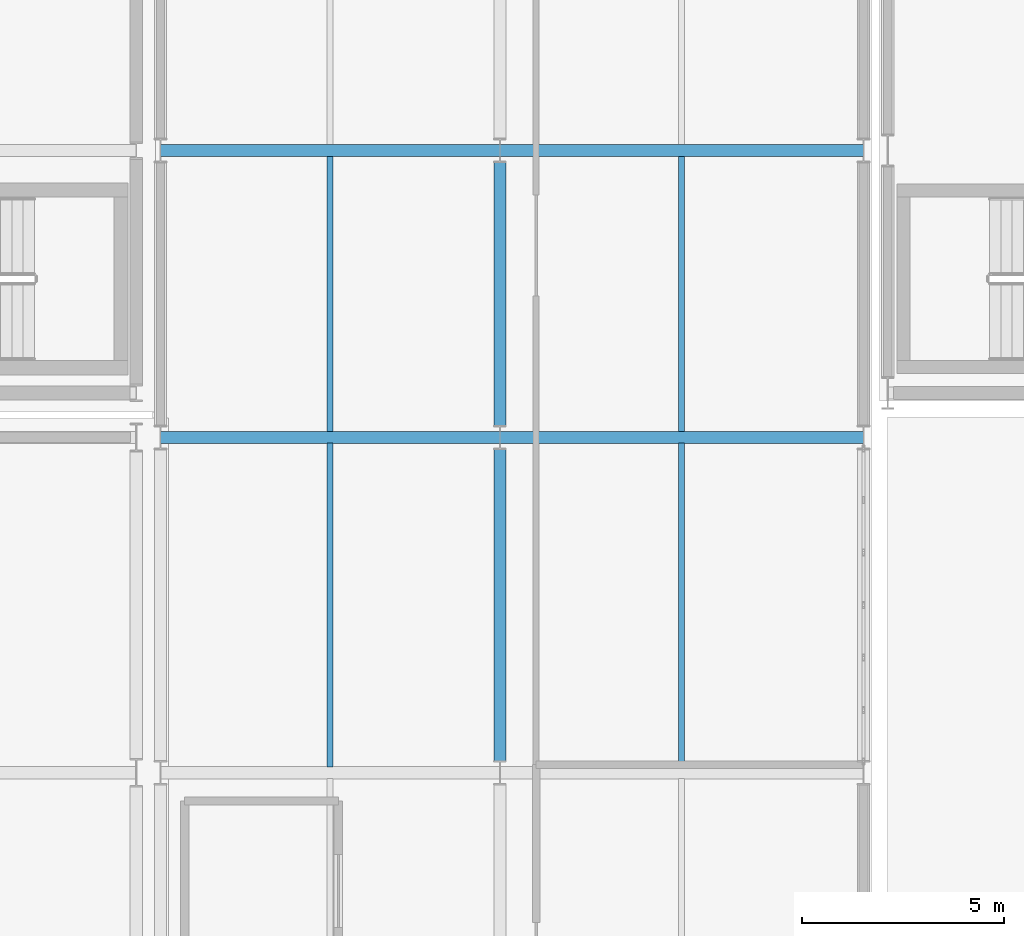
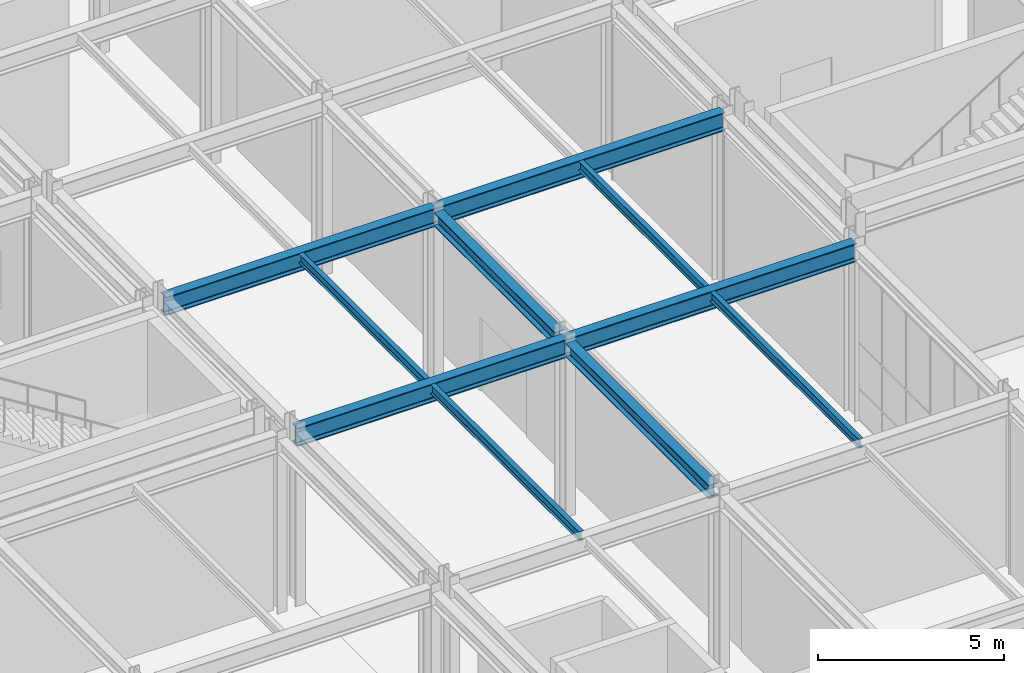
# One storey, part 88 of 146: 10 beams.
"""IFC4 building model written with IfcOpenShell, lengths in metres."""

from ifc_helpers import new_model, si_unit, direction, frame, origin, origin_2d, place, context, subcontext, project, spatial, i_section, extrude, material, material_profile, profile_set, type_object, element, save


model = new_model("IFC4")

# Units and contexts
model_context = context("Model", 3, precision=1e-05, world=origin(), true_north=direction((0.0, 1.0)))
body_context = subcontext(model_context, "Body", "Model", "MODEL_VIEW")
ifc_project = project(units=[si_unit("LENGTHUNIT", "METRE"), si_unit("AREAUNIT", "SQUARE_METRE"), si_unit("VOLUMEUNIT", "CUBIC_METRE"), si_unit("PLANEANGLEUNIT", "RADIAN"), si_unit("MASSUNIT", "GRAM", prefix="KILO")], contexts=[model_context])

# Site, building, storey
site_placement = place(None, origin())
site = spatial("IfcSite", under=ifc_project, at=site_placement, CompositionType="ELEMENT")
building_placement = place(site_placement, origin())
building = spatial("IfcBuilding", under=site, at=building_placement, Name="Kaldris Quays Convention Centre", CompositionType="ELEMENT")
storey_placement = place(building_placement, origin())
storey = spatial("IfcBuildingStorey", under=building, at=storey_placement, Name="L00", CompositionType="ELEMENT", Elevation=0.0)

# Beams
ifc_material = material(Name="Steel S355J2", Category="steel")
ifc_material_profile_1 = material_profile(ifc_material, i_section(OverallWidth=0.300048828125, OverallDepth=0.60009765625, WebThickness=0.015380859375, FlangeThickness=0.030029296875, FilletRadius=0.027099609375, at=origin_2d()), Name="HEB 600")
ifc_profile_set_1 = profile_set([ifc_material_profile_1], Name="Steel S355J2")
beam_type_1 = type_object("IfcBeamType", Name="STRUCTURAL BEAM BM05", PredefinedType="BEAM", material=ifc_profile_set_1)
beam_1_placement = place(storey_placement, frame((146.601806640625, 54.89990234375, 5.423095703125), z_axis=(1.0, 0.0, 0.0), x_axis=(0.0, 1.0, 0.0)))
element("IfcBeam", 1, at=beam_1_placement, inside=storey, type_object=beam_type_1, Name="L00 Girder BM05 26", PredefinedType="BEAM", context=body_context, shape_type="SweptSolid", body=[
    extrude(i_section(OverallWidth=0.300048828125, OverallDepth=0.60009765625, WebThickness=0.015380859375, FlangeThickness=0.030029296875, FilletRadius=0.027099609375, at=origin_2d()), origin(), (0.0, 0.0, 1.0), 8.396484375),
])
beam_2_placement = place(storey_placement, frame((155.001708984375, 54.89990234375, 5.423095703125), z_axis=(1.0, 0.0, 0.0), x_axis=(0.0, 1.0, 0.0)))
element("IfcBeam", 2, at=beam_2_placement, inside=storey, type_object=beam_type_1, Name="L00 Girder BM05 27", PredefinedType="BEAM", context=body_context, shape_type="SweptSolid", body=[
    extrude(i_section(OverallWidth=0.300048828125, OverallDepth=0.60009765625, WebThickness=0.015380859375, FlangeThickness=0.030029296875, FilletRadius=0.027099609375, at=origin_2d()), origin(), (0.0, 0.0, 1.0), 8.99658203125),
])
beam_3_placement = place(storey_placement, frame((146.601806640625, 62.0, 5.423095703125), z_axis=(1.0, 0.0, 0.0), x_axis=(0.0, 1.0, 0.0)))
element("IfcBeam", 3, at=beam_3_placement, inside=storey, type_object=beam_type_1, Name="L00 Girder BM05 28", PredefinedType="BEAM", context=body_context, shape_type="SweptSolid", body=[
    extrude(i_section(OverallWidth=0.300048828125, OverallDepth=0.60009765625, WebThickness=0.015380859375, FlangeThickness=0.030029296875, FilletRadius=0.027099609375, at=origin_2d()), origin(), (0.0, 0.0, 1.0), 8.396484375),
])
beam_4_placement = place(storey_placement, frame((155.001708984375, 62.0, 5.423095703125), z_axis=(1.0, 0.0, 0.0), x_axis=(0.0, 1.0, 0.0)))
element("IfcBeam", 4, at=beam_4_placement, inside=storey, type_object=beam_type_1, Name="L00 Girder BM05 29", PredefinedType="BEAM", context=body_context, shape_type="SweptSolid", body=[
    extrude(i_section(OverallWidth=0.300048828125, OverallDepth=0.60009765625, WebThickness=0.015380859375, FlangeThickness=0.030029296875, FilletRadius=0.027099609375, at=origin_2d()), origin(), (0.0, 0.0, 1.0), 8.99658203125),
])
ifc_material_profile_2 = material_profile(ifc_material, i_section(OverallWidth=0.300048828125, OverallDepth=0.449951171875, WebThickness=0.013916015625, FlangeThickness=0.02587890625, FilletRadius=0.027099609375, at=origin_2d()), Name="HEB 450")
ifc_profile_set_2 = profile_set([ifc_material_profile_2], Name="Steel S355J2")
beam_type_2 = type_object("IfcBeamType", Name="STRUCTURAL BEAM BM07", PredefinedType="BEAM", material=ifc_profile_set_2)
beam_5_placement = place(storey_placement, frame((155.0, 46.89404296875, 5.498046875), z_axis=(0.0, 1.0, 0.0), x_axis=(-1.0, 0.0, 0.0)))
element("IfcBeam", 5, at=beam_5_placement, inside=storey, type_object=beam_type_2, Name="L00 Girder BM07 79", PredefinedType="BEAM", context=body_context, shape_type="SweptSolid", body=[
    extrude(i_section(OverallWidth=0.300048828125, OverallDepth=0.449951171875, WebThickness=0.013916015625, FlangeThickness=0.02587890625, FilletRadius=0.027099609375, at=origin_2d()), origin(), (0.0, 0.0, 1.0), 7.7119140625),
])
beam_6_placement = place(storey_placement, frame((155.0, 55.194091796875, 5.498046875), z_axis=(0.0, 1.0, 0.0), x_axis=(-1.0, 0.0, 0.0)))
element("IfcBeam", 6, at=beam_6_placement, inside=storey, type_object=beam_type_2, Name="L00 Girder BM07 80", PredefinedType="BEAM", context=body_context, shape_type="SweptSolid", body=[
    extrude(i_section(OverallWidth=0.300048828125, OverallDepth=0.449951171875, WebThickness=0.013916015625, FlangeThickness=0.02587890625, FilletRadius=0.027099609375, at=origin_2d()), origin(), (0.0, 0.0, 1.0), 6.511962890625),
])
ifc_material_profile_3 = material_profile(ifc_material, i_section(OverallWidth=0.14990234375, OverallDepth=0.300048828125, WebThickness=0.007080078125, FlangeThickness=0.0107421875, FilletRadius=0.014892578125, at=origin_2d()), Name="IPE 300")
ifc_profile_set_3 = profile_set([ifc_material_profile_3], Name="Steel S355J2")
beam_type_3 = type_object("IfcBeamType", Name="STRUCTURAL BEAM JT04", PredefinedType="JOIST", material=ifc_profile_set_3)
for number, where, z_axis, x_axis, name in (
    (7, (150.800048828125, 46.743896484375, 5.572998046875), (0.0, 1.0, 0.0), (-1.0, 0.0, 0.0), "L00 Secondary Joist JT04 10"),
    (8, (159.5, 46.743896484375, 5.572998046875), (0.0, 1.0, 0.0), (-1.0, 0.0, 0.0), "L00 Secondary Joist JT04 11"),
):
    element("IfcBeam", number, at=place(storey_placement, frame(where, z_axis=z_axis, x_axis=x_axis)), inside=storey, type_object=beam_type_3, Name=name, PredefinedType="JOIST", context=body_context, shape_type="SweptSolid", body=[
        extrude(i_section(OverallWidth=0.14990234375, OverallDepth=0.300048828125, WebThickness=0.007080078125, FlangeThickness=0.0107421875, FilletRadius=0.014892578125, at=origin_2d()), origin(), (0.0, 0.0, 1.0), 8.01220703125),
    ])
for number, where, z_axis, x_axis, name in (
    (9, (150.800048828125, 55.0439453125, 5.572998046875), (0.0, 1.0, 0.0), (-1.0, 0.0, 0.0), "L00 Secondary Joist JT04 12"),
    (10, (159.5, 55.0439453125, 5.572998046875), (0.0, 1.0, 0.0), (-1.0, 0.0, 0.0), "L00 Secondary Joist JT04 13"),
):
    element("IfcBeam", number, at=place(storey_placement, frame(where, z_axis=z_axis, x_axis=x_axis)), inside=storey, type_object=beam_type_3, Name=name, PredefinedType="JOIST", context=body_context, shape_type="SweptSolid", body=[
        extrude(i_section(OverallWidth=0.14990234375, OverallDepth=0.300048828125, WebThickness=0.007080078125, FlangeThickness=0.0107421875, FilletRadius=0.014892578125, at=origin_2d()), origin(), (0.0, 0.0, 1.0), 6.81201171875),
    ])

save(model, "model.ifc")
